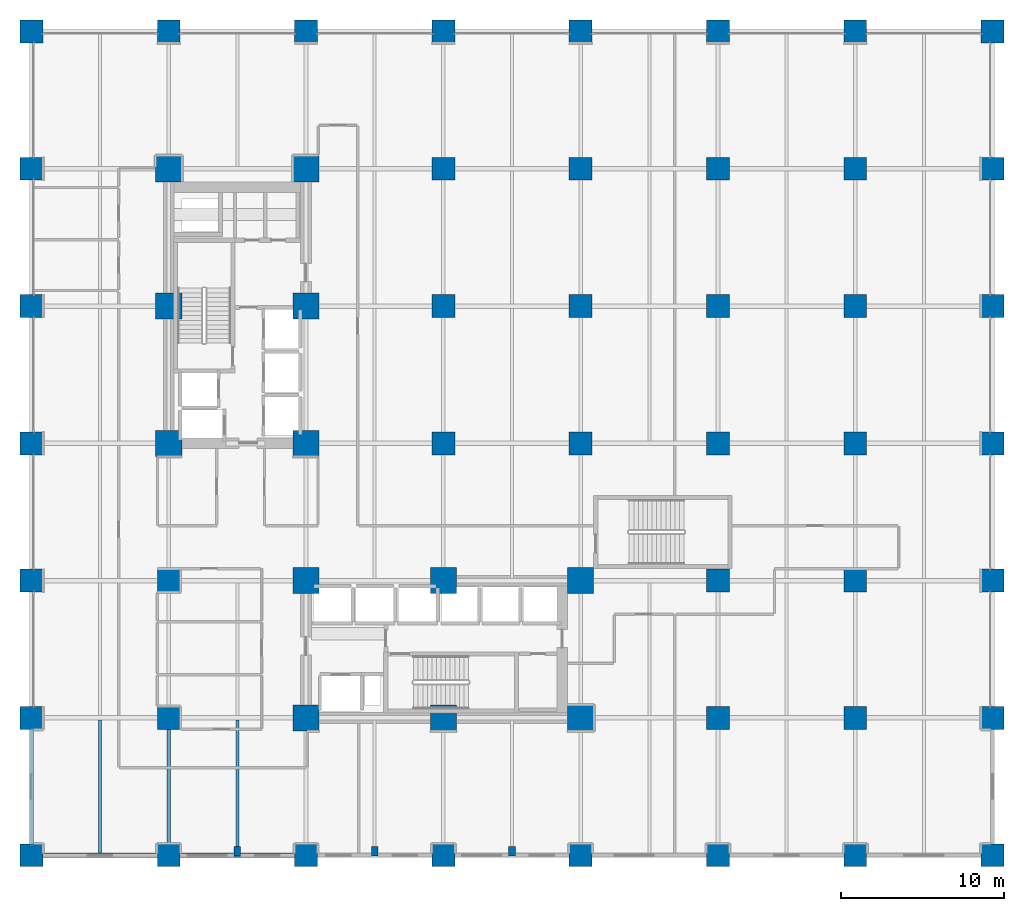
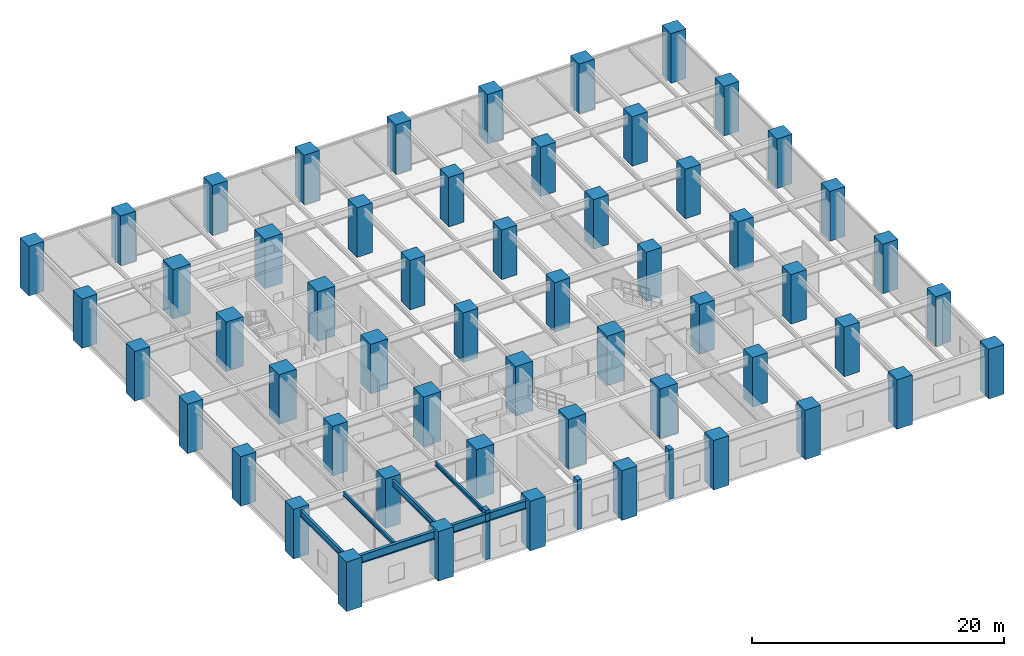
# One storey, part 1 of 23: 59 columns, 6 beams.
"""IFC4 building model written with IfcOpenShell, lengths in metres."""

import ifcopenshell
import ifcopenshell.guid

model = None  # the IFC model being written
_history = None  # IfcOwnerHistory: only IFC2X3 demands one
_inside = {}  # id of a spatial element -> (the spatial element, [elements in it])
_under = {}  # id of a project, library or spatial element -> (it, [spatial elements below it])
_declared = {}  # id of a project -> (the project, [libraries it declares])
_typed = {}  # id of a type object -> (the type object, [elements of that type])
_made_of = {}  # id of a material, layer set ... -> (it, [elements and type objects made of it])


def new_model(schema):
    """Start an empty IFC model of exactly this schema.

    Asked for "IFC4X3", IfcOpenShell would pick the latest addendum, in which some entities
    have other attributes; the version numbers below select the first issue.
    IFC2X3 requires an IfcOwnerHistory on every rooted entity: one is made here for all.
    """
    global model, _history
    if schema == "IFC4X3":
        model = ifcopenshell.file(schema_version=(4, 3, 0, 0))
    else:
        model = ifcopenshell.file(schema=schema)
    _inside.clear()
    _under.clear()
    _declared.clear()
    _typed.clear()
    _made_of.clear()
    _history = None
    if model.schema == "IFC2X3":
        org = make("IfcOrganization", Name="unknown")
        user = make(
            "IfcPersonAndOrganization",
            ThePerson=make("IfcPerson", FamilyName="unknown"),
            TheOrganization=org,
        )
        app = make(
            "IfcApplication",
            ApplicationDeveloper=org,
            Version="unknown",
            ApplicationFullName="unknown",
            ApplicationIdentifier="unknown",
        )
        _history = make(
            "IfcOwnerHistory",
            OwningUser=user,
            OwningApplication=app,
            ChangeAction="ADDED",
            CreationDate=0,
        )
    return model


def make(cls, **values):
    """One entity of the class cls with the attributes given. An attribute that is None is left unset."""
    return model.create_entity(
        cls, **{name: value for name, value in values.items() if value is not None}
    )


def rooted(cls, **values):
    """An entity with a GlobalId (a new one), such as an element, a storey or a relation."""
    return make(cls, GlobalId=ifcopenshell.guid.new(), OwnerHistory=_history, **values)


def si_unit(unit_type, name, prefix=None):
    """IfcSIUnit, for example si_unit("LENGTHUNIT", "METRE", prefix="MILLI")."""
    return make("IfcSIUnit", UnitType=unit_type, Prefix=prefix, Name=name)


def assignment(units):
    """IfcUnitAssignment: the units of a project."""
    return None if units is None else make("IfcUnitAssignment", Units=units)


def point(xyz):
    """IfcCartesianPoint."""
    return None if xyz is None else make("IfcCartesianPoint", Coordinates=xyz)


def direction(xyz):
    """IfcDirection."""
    return None if xyz is None else make("IfcDirection", DirectionRatios=xyz)


def frame(location, z_axis=None, x_axis=None):
    """IfcAxis2Placement3D, a coordinate frame: its origin and axes. An axis left out is left unset."""
    return make(
        "IfcAxis2Placement3D",
        Location=point(location),
        Axis=direction(z_axis),
        RefDirection=direction(x_axis),
    )


def frame_2d(location, x_axis=None):
    """IfcAxis2Placement2D, a coordinate frame in the plane: its origin and x axis."""
    return make(
        "IfcAxis2Placement2D", Location=point(location), RefDirection=direction(x_axis)
    )


def origin():
    """The frame at (0, 0, 0) with its axes left unset."""
    return frame((0.0, 0.0, 0.0))


def origin_2d():
    """The frame at (0, 0) in the plane with its x axis left unset."""
    return frame_2d((0.0, 0.0))


def place(relative_to, where):
    """IfcLocalPlacement: puts the frame where relative to a parent placement (None: the world)."""
    return make(
        "IfcLocalPlacement", PlacementRelTo=relative_to, RelativePlacement=where
    )


def context(
    kind, dimensions, precision=None, world=None, true_north=None, identifier=None
):
    """IfcGeometricRepresentationContext, for example the 3D "Model" context."""
    return make(
        "IfcGeometricRepresentationContext",
        ContextIdentifier=identifier,
        ContextType=kind,
        CoordinateSpaceDimension=dimensions,
        Precision=precision,
        WorldCoordinateSystem=world,
        TrueNorth=true_north,
    )


def subcontext(parent, identifier, kind, view, scale=None):
    """IfcGeometricRepresentationSubContext, for example "Body" below "Model"."""
    return make(
        "IfcGeometricRepresentationSubContext",
        ContextIdentifier=identifier,
        ContextType=kind,
        ParentContext=parent,
        TargetScale=scale,
        TargetView=view,
    )


def project(units=None, contexts=None):
    """IfcProject with its units and contexts."""
    return rooted(
        "IfcProject",
        Name="project",
        RepresentationContexts=contexts,
        UnitsInContext=assignment(units),
    )


def spatial(cls, under=None, at=None, **own):
    """A site, building, storey or space (cls), placed at a placement, below another one or the project."""
    s = rooted(cls, ObjectPlacement=at, **own)
    if under is not None:
        _under.setdefault(under.id(), (under, []))[1].append(s)
    return s


def profile(cls, at=None, kind="AREA", **sizes):
    """A parametric profile (cls). Its sizes go by their IFC names, for example OverallWidth=200.0."""
    return make(cls, ProfileType=kind, Position=at, **sizes)


def rectangle(**sizes):
    """IfcRectangleProfileDef."""
    return profile("IfcRectangleProfileDef", **sizes)


def i_section(**sizes):
    """IfcIShapeProfileDef."""
    return profile("IfcIShapeProfileDef", **sizes)


def extrude(swept, where, along, depth):
    """IfcExtrudedAreaSolid: the profile swept, set in the frame where, extruded along a direction by depth."""
    return make(
        "IfcExtrudedAreaSolid",
        SweptArea=swept,
        Position=where,
        ExtrudedDirection=direction(along),
        Depth=depth,
    )


def shape(context_of_items, identifier, shape_type, items):
    """IfcShapeRepresentation: the items that make up one representation, for example the "Body"."""
    return make(
        "IfcShapeRepresentation",
        ContextOfItems=context_of_items,
        RepresentationIdentifier=identifier,
        RepresentationType=shape_type,
        Items=items,
    )


def material(Name=None, Category=None):
    """IfcMaterial."""
    return make("IfcMaterial", Name=Name, Category=Category)


def material_profile(
    of_material, cross_section, Name=None, Category=None, Priority=None
):
    """IfcMaterialProfile: a cross section and its material."""
    return make(
        "IfcMaterialProfile",
        Name=Name,
        Material=of_material,
        Profile=cross_section,
        Priority=Priority,
        Category=Category,
    )


def profile_set(profiles, Name=None, composite=None):
    """IfcMaterialProfileSet."""
    return make(
        "IfcMaterialProfileSet",
        Name=Name,
        MaterialProfiles=profiles,
        CompositeProfile=composite,
    )


def made_of(thing, what):
    """Note that an element or type object is made of a material, layer set ...; save() writes the relation."""
    if what is not None:
        _made_of.setdefault(what.id(), (what, []))[1].append(thing)
    return thing


def type_object(cls, material=None, **own):
    """A type object (cls), such as IfcWallType, which elements share."""
    return made_of(rooted(cls, **own), material)


def element(
    cls,
    number,
    at=None,
    inside=None,
    cuts=None,
    type_object=None,
    material=None,
    context=None,
    identifier="Body",
    shape_type=None,
    held_by="IfcProductDefinitionShape",
    body=None,
    shapes=None,
    **own,
):
    """One element of the class cls, such as IfcWall. Its Tag is "e" and its number.

    at: its placement. inside: the storey or other place that contains it. cuts: it is an
    opening in that element (IfcRelVoidsElement). A single representation is given by context,
    identifier, shape_type and body (its items); several are given by shapes. held_by: the class
    of the entity that holds the representations. save() writes the other relations.
    """
    e = rooted(cls, Tag="e%d" % number, ObjectPlacement=at, **own)
    if body is not None:
        shapes = [shape(context, identifier, shape_type, body)]
    if shapes is not None:
        e.Representation = make(held_by, Representations=shapes)
    if inside is not None:
        _inside.setdefault(inside.id(), (inside, []))[1].append(e)
    if cuts is not None:
        rooted(
            "IfcRelVoidsElement", RelatingBuildingElement=cuts, RelatedOpeningElement=e
        )
    if type_object is not None:
        _typed.setdefault(type_object.id(), (type_object, []))[1].append(e)
    return made_of(e, material)


def aggregate(whole, parts):
    """IfcRelAggregates: a whole, such as a stair, and the parts it consists of."""
    return rooted("IfcRelAggregates", RelatingObject=whole, RelatedObjects=parts)


def save(model, path):
    """Write the relations noted so far, then the file.

    IfcRelAggregates (storeys below a building ...), IfcRelContainedInSpatialStructure (elements
    in a storey), IfcRelDefinesByType, IfcRelAssociatesMaterial and IfcRelDeclares: one each for
    every whole, place, type object, material and project.
    """
    for whole, parts in _under.values():
        aggregate(whole, parts)
    for where, things in _inside.values():
        rooted(
            "IfcRelContainedInSpatialStructure",
            RelatedElements=things,
            RelatingStructure=where,
        )
    for kind, things in _typed.values():
        rooted("IfcRelDefinesByType", RelatedObjects=things, RelatingType=kind)
    for what, things in _made_of.values():
        rooted("IfcRelAssociatesMaterial", RelatedObjects=things, RelatingMaterial=what)
    for by, libraries in _declared.values():
        rooted("IfcRelDeclares", RelatingContext=by, RelatedDefinitions=libraries)
    model.write(path)


model = new_model("IFC4")

# Units and contexts
model_context = context("Model", 3, precision=1e-05, world=origin(), true_north=direction((0.0, 1.0)))
body_context = subcontext(model_context, "Body", "Model", "MODEL_VIEW")
ifc_project = project(units=[si_unit("LENGTHUNIT", "METRE"), si_unit("AREAUNIT", "SQUARE_METRE"), si_unit("VOLUMEUNIT", "CUBIC_METRE"), si_unit("PLANEANGLEUNIT", "RADIAN"), si_unit("MASSUNIT", "GRAM", prefix="KILO")], contexts=[model_context])

# Site, building, storey
site_placement = place(None, origin())
site = spatial("IfcSite", under=ifc_project, at=site_placement, CompositionType="ELEMENT")
building_placement = place(site_placement, origin())
building = spatial("IfcBuilding", under=site, at=building_placement, Name="Nerrivon Quay Data Exchange", CompositionType="ELEMENT")
storey_placement = place(building_placement, frame((0.0, 0.0, 5.39990234375)))
storey = spatial("IfcBuildingStorey", under=building, at=storey_placement, Name="L01", CompositionType="ELEMENT", Elevation=5.39990234375)

# Columns
ifc_material_1 = material(Name="Concrete N80 (80 MPa)", Category="concrete")
ifc_material_profile_1 = material_profile(ifc_material_1, rectangle(XDim=1.60009765625, YDim=1.60009765625, at=origin_2d()), Name="RC-COL-1600x1600")
ifc_profile_set_1 = profile_set([ifc_material_profile_1], Name="Concrete N80 (80 MPa)")
column_type_1 = type_object("IfcColumnType", Name="COL-C1-1600", PredefinedType="COLUMN", material=ifc_profile_set_1)
for number, where, z_axis, x_axis, name in (
    (1, (8.39990234375, 25.199951171875, 0.0), (0.0, 0.0, 1.0), (1.0, 0.0, 0.0), "L01 Column (8.4,25.2)"),
    (2, (8.39990234375, 33.60009765625, 0.0), (0.0, 0.0, 1.0), (1.0, 0.0, 0.0), "L01 Column (8.4,33.6)"),
    (3, (8.39990234375, 42.0, 0.0), (0.0, 0.0, 1.0), (1.0, 0.0, 0.0), "L01 Column (8.4,42.0)"),
    (4, (16.800048828125, 8.39990234375, 0.0), (0.0, 0.0, 1.0), (1.0, 0.0, 0.0), "L01 Column (16.8,8.4)"),
    (5, (16.800048828125, 16.800048828125, 0.0), (0.0, 0.0, 1.0), (1.0, 0.0, 0.0), "L01 Column (16.8,16.8)"),
    (6, (16.800048828125, 25.199951171875, 0.0), (0.0, 0.0, 1.0), (1.0, 0.0, 0.0), "L01 Column (16.8,25.2)"),
    (7, (16.800048828125, 33.60009765625, 0.0), (0.0, 0.0, 1.0), (1.0, 0.0, 0.0), "L01 Column (16.8,33.6)"),
    (8, (16.800048828125, 42.0, 0.0), (0.0, 0.0, 1.0), (1.0, 0.0, 0.0), "L01 Column (16.8,42.0)"),
    (9, (25.199951171875, 8.39990234375, 0.0), (0.0, 0.0, 1.0), (1.0, 0.0, 0.0), "L01 Column (25.2,8.4)"),
    (10, (25.199951171875, 16.800048828125, 0.0), (0.0, 0.0, 1.0), (1.0, 0.0, 0.0), "L01 Column (25.2,16.8)"),
    (11, (33.60009765625, 8.39990234375, 0.0), (0.0, 0.0, 1.0), (1.0, 0.0, 0.0), "L01 Column (33.6,8.4)"),
    (12, (33.60009765625, 16.800048828125, 0.0), (0.0, 0.0, 1.0), (1.0, 0.0, 0.0), "L01 Column (33.6,16.8)"),
):
    element("IfcColumn", number, at=place(storey_placement, frame(where, z_axis=z_axis, x_axis=x_axis)), inside=storey, type_object=column_type_1, Name=name, PredefinedType="COLUMN", context=body_context, shape_type="SweptSolid", body=[
        extrude(rectangle(XDim=1.60009765625, YDim=1.60009765625, at=origin_2d()), origin(), (0.0, 0.0, 1.0), 4.800048828125),
    ])
ifc_material_profile_2 = material_profile(ifc_material_1, rectangle(XDim=1.39990234375, YDim=1.39990234375, at=origin_2d()), Name="RC-COL-1400x1400")
ifc_profile_set_2 = profile_set([ifc_material_profile_2], Name="Concrete N80 (80 MPa)")
column_type_2 = type_object("IfcColumnType", Name="COL-C2-1400", PredefinedType="COLUMN", material=ifc_profile_set_2)
for number, where, z_axis, x_axis, name in (
    (13, (0.0, 0.0, 0.0), (0.0, 0.0, 1.0), (1.0, 0.0, 0.0), "L01 Column (0.0,0.0)"),
    (14, (0.0, 8.39990234375, 0.0), (0.0, 0.0, 1.0), (1.0, 0.0, 0.0), "L01 Column (0.0,8.4)"),
    (15, (0.0, 16.800048828125, 0.0), (0.0, 0.0, 1.0), (1.0, 0.0, 0.0), "L01 Column (0.0,16.8)"),
    (16, (0.0, 25.199951171875, 0.0), (0.0, 0.0, 1.0), (1.0, 0.0, 0.0), "L01 Column (0.0,25.2)"),
    (17, (0.0, 33.60009765625, 0.0), (0.0, 0.0, 1.0), (1.0, 0.0, 0.0), "L01 Column (0.0,33.6)"),
    (18, (0.0, 42.0, 0.0), (0.0, 0.0, 1.0), (1.0, 0.0, 0.0), "L01 Column (0.0,42.0)"),
    (19, (0.0, 50.39990234375, 0.0), (0.0, 0.0, 1.0), (1.0, 0.0, 0.0), "L01 Column (0.0,50.4)"),
    (20, (8.39990234375, 0.0, 0.0), (0.0, 0.0, 1.0), (1.0, 0.0, 0.0), "L01 Column (8.4,0.0)"),
    (21, (8.39990234375, 8.39990234375, 0.0), (0.0, 0.0, 1.0), (1.0, 0.0, 0.0), "L01 Column (8.4,8.4)"),
    (22, (8.39990234375, 16.800048828125, 0.0), (0.0, 0.0, 1.0), (1.0, 0.0, 0.0), "L01 Column (8.4,16.8)"),
    (23, (8.39990234375, 50.39990234375, 0.0), (0.0, 0.0, 1.0), (1.0, 0.0, 0.0), "L01 Column (8.4,50.4)"),
    (24, (16.800048828125, 0.0, 0.0), (0.0, 0.0, 1.0), (1.0, 0.0, 0.0), "L01 Column (16.8,0.0)"),
    (25, (16.800048828125, 50.39990234375, 0.0), (0.0, 0.0, 1.0), (1.0, 0.0, 0.0), "L01 Column (16.8,50.4)"),
    (26, (25.199951171875, 0.0, 0.0), (0.0, 0.0, 1.0), (1.0, 0.0, 0.0), "L01 Column (25.2,0.0)"),
    (27, (25.199951171875, 25.199951171875, 0.0), (0.0, 0.0, 1.0), (1.0, 0.0, 0.0), "L01 Column (25.2,25.2)"),
    (28, (25.199951171875, 33.60009765625, 0.0), (0.0, 0.0, 1.0), (1.0, 0.0, 0.0), "L01 Column (25.2,33.6)"),
    (29, (25.199951171875, 42.0, 0.0), (0.0, 0.0, 1.0), (1.0, 0.0, 0.0), "L01 Column (25.2,42.0)"),
    (30, (25.199951171875, 50.39990234375, 0.0), (0.0, 0.0, 1.0), (1.0, 0.0, 0.0), "L01 Column (25.2,50.4)"),
    (31, (33.60009765625, 0.0, 0.0), (0.0, 0.0, 1.0), (1.0, 0.0, 0.0), "L01 Column (33.6,0.0)"),
    (32, (33.60009765625, 25.199951171875, 0.0), (0.0, 0.0, 1.0), (1.0, 0.0, 0.0), "L01 Column (33.6,25.2)"),
    (33, (33.60009765625, 33.60009765625, 0.0), (0.0, 0.0, 1.0), (1.0, 0.0, 0.0), "L01 Column (33.6,33.6)"),
    (34, (33.60009765625, 42.0, 0.0), (0.0, 0.0, 1.0), (1.0, 0.0, 0.0), "L01 Column (33.6,42.0)"),
    (35, (33.60009765625, 50.39990234375, 0.0), (0.0, 0.0, 1.0), (1.0, 0.0, 0.0), "L01 Column (33.6,50.4)"),
    (36, (42.0, 0.0, 0.0), (0.0, 0.0, 1.0), (1.0, 0.0, 0.0), "L01 Column (42.0,0.0)"),
    (37, (42.0, 8.39990234375, 0.0), (0.0, 0.0, 1.0), (1.0, 0.0, 0.0), "L01 Column (42.0,8.4)"),
    (38, (42.0, 16.800048828125, 0.0), (0.0, 0.0, 1.0), (1.0, 0.0, 0.0), "L01 Column (42.0,16.8)"),
    (39, (42.0, 25.199951171875, 0.0), (0.0, 0.0, 1.0), (1.0, 0.0, 0.0), "L01 Column (42.0,25.2)"),
    (40, (42.0, 33.60009765625, 0.0), (0.0, 0.0, 1.0), (1.0, 0.0, 0.0), "L01 Column (42.0,33.6)"),
    (41, (42.0, 42.0, 0.0), (0.0, 0.0, 1.0), (1.0, 0.0, 0.0), "L01 Column (42.0,42.0)"),
    (42, (42.0, 50.39990234375, 0.0), (0.0, 0.0, 1.0), (1.0, 0.0, 0.0), "L01 Column (42.0,50.4)"),
    (43, (50.39990234375, 0.0, 0.0), (0.0, 0.0, 1.0), (1.0, 0.0, 0.0), "L01 Column (50.4,0.0)"),
    (44, (50.39990234375, 8.39990234375, 0.0), (0.0, 0.0, 1.0), (1.0, 0.0, 0.0), "L01 Column (50.4,8.4)"),
    (45, (50.39990234375, 16.800048828125, 0.0), (0.0, 0.0, 1.0), (1.0, 0.0, 0.0), "L01 Column (50.4,16.8)"),
    (46, (50.39990234375, 25.199951171875, 0.0), (0.0, 0.0, 1.0), (1.0, 0.0, 0.0), "L01 Column (50.4,25.2)"),
    (47, (50.39990234375, 33.60009765625, 0.0), (0.0, 0.0, 1.0), (1.0, 0.0, 0.0), "L01 Column (50.4,33.6)"),
    (48, (50.39990234375, 42.0, 0.0), (0.0, 0.0, 1.0), (1.0, 0.0, 0.0), "L01 Column (50.4,42.0)"),
    (49, (50.39990234375, 50.39990234375, 0.0), (0.0, 0.0, 1.0), (1.0, 0.0, 0.0), "L01 Column (50.4,50.4)"),
    (50, (58.800048828125, 0.0, 0.0), (0.0, 0.0, 1.0), (1.0, 0.0, 0.0), "L01 Column (58.8,0.0)"),
    (51, (58.800048828125, 8.39990234375, 0.0), (0.0, 0.0, 1.0), (1.0, 0.0, 0.0), "L01 Column (58.8,8.4)"),
    (52, (58.800048828125, 16.800048828125, 0.0), (0.0, 0.0, 1.0), (1.0, 0.0, 0.0), "L01 Column (58.8,16.8)"),
    (53, (58.800048828125, 25.199951171875, 0.0), (0.0, 0.0, 1.0), (1.0, 0.0, 0.0), "L01 Column (58.8,25.2)"),
    (54, (58.800048828125, 33.60009765625, 0.0), (0.0, 0.0, 1.0), (1.0, 0.0, 0.0), "L01 Column (58.8,33.6)"),
    (55, (58.800048828125, 42.0, 0.0), (0.0, 0.0, 1.0), (1.0, 0.0, 0.0), "L01 Column (58.8,42.0)"),
    (56, (58.800048828125, 50.39990234375, 0.0), (0.0, 0.0, 1.0), (1.0, 0.0, 0.0), "L01 Column (58.8,50.4)"),
):
    element("IfcColumn", number, at=place(storey_placement, frame(where, z_axis=z_axis, x_axis=x_axis)), inside=storey, type_object=column_type_2, Name=name, PredefinedType="COLUMN", context=body_context, shape_type="SweptSolid", body=[
        extrude(rectangle(XDim=1.39990234375, YDim=1.39990234375, at=origin_2d()), origin(), (0.0, 0.0, 1.0), 4.800048828125),
    ])
ifc_material_2 = material(Name="Concrete S65 (65 MPa)", Category="concrete")
ifc_material_profile_3 = material_profile(ifc_material_2, rectangle(XDim=0.39990234375, YDim=0.60009765625, at=origin_2d()), Name="RC-PIL-600x400")
ifc_profile_set_3 = profile_set([ifc_material_profile_3], Name="Concrete S65 (65 MPa)")
column_type_3 = type_object("IfcColumnType", Name="PIL-P1-600x400", PredefinedType="PILASTER", material=ifc_profile_set_3)
for number, where, z_axis, x_axis, name in (
    (57, (12.60009765625, 0.25, 0.0), (0.0, 0.0, 1.0), (1.0, 0.0, 0.0), "L01 Facade Pilaster (12.6)"),
    (58, (21.0, 0.25, 0.0), (0.0, 0.0, 1.0), (1.0, 0.0, 0.0), "L01 Facade Pilaster (21.0)"),
    (59, (29.39990234375, 0.25, 0.0), (0.0, 0.0, 1.0), (1.0, 0.0, 0.0), "L01 Facade Pilaster (29.4)"),
):
    element("IfcColumn", number, at=place(storey_placement, frame(where, z_axis=z_axis, x_axis=x_axis)), inside=storey, type_object=column_type_3, Name=name, PredefinedType="PILASTER", context=body_context, shape_type="SweptSolid", body=[
        extrude(rectangle(XDim=0.39990234375, YDim=0.60009765625, at=origin_2d()), origin(), (0.0, 0.0, 1.0), 4.800048828125),
    ])

# Beams
ifc_material_3 = material(Name="Steel Grade 350", Category="steel")
ifc_material_profile_4 = material_profile(ifc_material_3, i_section(OverallWidth=0.22900390625, OverallDepth=0.612060546875, WebThickness=0.011962890625, FlangeThickness=0.01953125, FilletRadius=0.013916015625, at=origin_2d()), Name="610UB125")
ifc_profile_set_4 = profile_set([ifc_material_profile_4], Name="Steel Grade 350")
beam_type_1 = type_object("IfcBeamType", Name="BM-G1-610UB125", PredefinedType="BEAM", material=ifc_profile_set_4)
for number, where, z_axis, x_axis, name in (
    (60, (0.0, 0.5400390625, 4.218994140625), (0.0, 1.0, 0.0), (-1.0, 0.0, 0.0), "L01 NS Girder X=0.0 (0.0..8.4)"),
    (61, (8.39990234375, 0.5400390625, 4.218994140625), (0.0, 1.0, 0.0), (-1.0, 0.0, 0.0), "L01 NS Girder X=8.4 (0.0..8.4)"),
):
    element("IfcBeam", number, at=place(storey_placement, frame(where, z_axis=z_axis, x_axis=x_axis)), inside=storey, type_object=beam_type_1, Name=name, PredefinedType="BEAM", context=body_context, shape_type="SweptSolid", body=[
        extrude(i_section(OverallWidth=0.22900390625, OverallDepth=0.612060546875, WebThickness=0.011962890625, FlangeThickness=0.01953125, FilletRadius=0.013916015625, at=origin_2d()), origin(), (0.0, 0.0, 1.0), 7.320068359375),
    ])
ifc_material_profile_5 = material_profile(ifc_material_3, i_section(OverallWidth=0.27490234375, OverallDepth=0.800048828125, WebThickness=0.010009765625, FlangeThickness=0.02001953125, at=origin_2d()), Name="800WB146")
ifc_profile_set_5 = profile_set([ifc_material_profile_5], Name="Steel Grade 350")
beam_type_2 = type_object("IfcBeamType", Name="BM-G8-800WB146", PredefinedType="BEAM", material=ifc_profile_set_5)
for number, where, z_axis, x_axis, name in (
    (62, (0.5400390625, 0.0, 4.125), (1.0, 0.0, 0.0), (0.0, 1.0, 0.0), "L01 EW Girder Y=0.0 (0.0..8.4)"),
    (63, (8.93994140625, 0.0, 4.125), (1.0, 0.0, 0.0), (0.0, 1.0, 0.0), "L01 EW Girder Y=0.0 (8.4..16.8)"),
):
    element("IfcBeam", number, at=place(storey_placement, frame(where, z_axis=z_axis, x_axis=x_axis)), inside=storey, type_object=beam_type_2, Name=name, PredefinedType="BEAM", context=body_context, shape_type="SweptSolid", body=[
        extrude(i_section(OverallWidth=0.27490234375, OverallDepth=0.800048828125, WebThickness=0.010009765625, FlangeThickness=0.02001953125, at=origin_2d()), origin(), (0.0, 0.0, 1.0), 7.320068359375),
    ])
ifc_material_profile_6 = material_profile(ifc_material_3, i_section(OverallWidth=0.177978515625, OverallDepth=0.403076171875, WebThickness=0.007568359375, FlangeThickness=0.010986328125, FilletRadius=0.011474609375, at=origin_2d()), Name="410UB53.7")
ifc_profile_set_6 = profile_set([ifc_material_profile_6], Name="Steel Grade 350")
beam_type_3 = type_object("IfcBeamType", Name="BM-J2-410UB54", PredefinedType="JOIST", material=ifc_profile_set_6)
for number, where, z_axis, x_axis, name in (
    (64, (4.199951171875, 0.137451171875, 4.323486328125), (0.0, 1.0, 0.0), (-1.0, 0.0, 0.0), "L01 Secondary Joist X=4.2 (0.0..8.4)"),
    (65, (12.60009765625, 0.137451171875, 4.323486328125), (0.0, 1.0, 0.0), (-1.0, 0.0, 0.0), "L01 Secondary Joist X=12.6 (0.0..8.4)"),
):
    element("IfcBeam", number, at=place(storey_placement, frame(where, z_axis=z_axis, x_axis=x_axis)), inside=storey, type_object=beam_type_3, Name=name, PredefinedType="JOIST", context=body_context, shape_type="SweptSolid", body=[
        extrude(i_section(OverallWidth=0.177978515625, OverallDepth=0.403076171875, WebThickness=0.007568359375, FlangeThickness=0.010986328125, FilletRadius=0.011474609375, at=origin_2d()), origin(), (0.0, 0.0, 1.0), 8.125),
    ])

save(model, "model.ifc")
